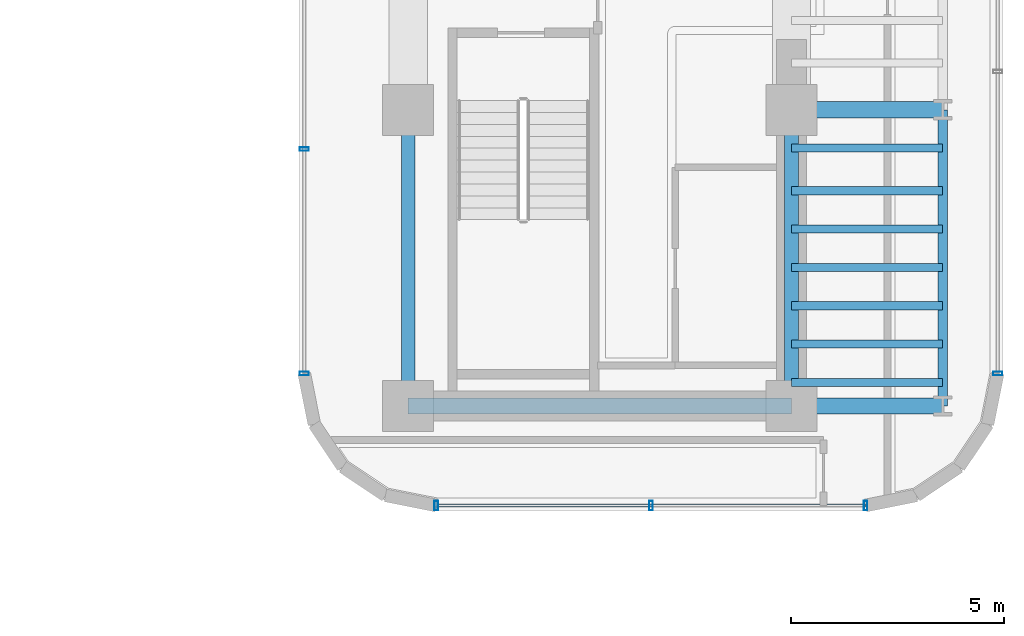
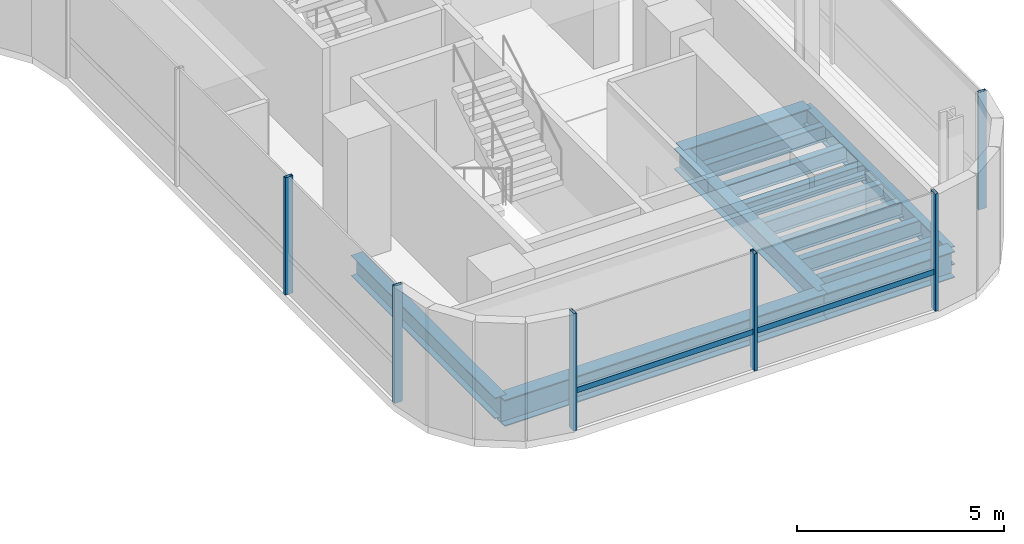
# One storey, part 12 of 34: 13 beams, 7 members, 3 elements without a shape of their own.
"""IFC4 building model written with IfcOpenShell, lengths in metres."""

from ifc_helpers import new_model, si_unit, direction, frame, origin, origin_2d, place, context, subcontext, project, spatial, hollow_rectangle, i_section, extrude, source, transform, mapped, material, material_profile, profile_set, type_object, element, aggregate, save


model = new_model("IFC4")

# Units and contexts
model_context = context("Model", 3, precision=1e-05, world=origin(), true_north=direction((0.0, 1.0)))
body_context = subcontext(model_context, "Body", "Model", "MODEL_VIEW")
ifc_project = project(units=[si_unit("LENGTHUNIT", "METRE"), si_unit("AREAUNIT", "SQUARE_METRE"), si_unit("VOLUMEUNIT", "CUBIC_METRE"), si_unit("PLANEANGLEUNIT", "RADIAN"), si_unit("MASSUNIT", "GRAM", prefix="KILO")], contexts=[model_context])

# Site, building, storey
site_placement = place(None, origin())
site = spatial("IfcSite", under=ifc_project, at=site_placement, CompositionType="ELEMENT")
building_placement = place(site_placement, origin())
building = spatial("IfcBuilding", under=site, at=building_placement, Name="Valdorenza Pilgrim Sanctuary Tower", CompositionType="ELEMENT")
storey_placement = place(building_placement, frame((0.0, 0.0, 120.5)))
storey = spatial("IfcBuildingStorey", under=building, at=storey_placement, Name="L30", CompositionType="ELEMENT", Elevation=120.5)

# Beams
ifc_material_1 = material(Name="Steel ASTM A992 Grade 50", Category="steel")
ifc_material_profile_1 = material_profile(ifc_material_1, i_section(OverallWidth=0.323974609375, OverallDepth=0.611083984375, WebThickness=0.0126953125, FlangeThickness=0.01904296875, at=origin_2d()), Name="W24X104")
ifc_profile_set_1 = profile_set([ifc_material_profile_1], Name="Steel ASTM A992 Grade 50")
beam_type_1 = type_object("IfcBeamType", Name="STR-BM-GRD-W24B", PredefinedType="BEAM", material=ifc_profile_set_1)
shared_shape_1 = source(origin(), body_context, "Body", "SweptSolid", [
    extrude(i_section(OverallWidth=0.323974609375, OverallDepth=0.611083984375, WebThickness=0.0126953125, FlangeThickness=0.01904296875, at=origin_2d()), origin(), (0.0, 0.0, 1.0), 6.949951171875),
])
for number, where, z_axis, x_axis, name in (
    (1, (15.85009765625, -9.550048828125, -0.54541015625), (0.0, 1.0, 0.0), (-1.0, 0.0, 0.0), "L30 Core Tie Girder CB-W-S1M0"),
    (2, (24.85009765625, -9.550048828125, -0.54541015625), (0.0, 1.0, 0.0), (-1.0, 0.0, 0.0), "L30 Core Tie Girder CB-E-S1M0"),
):
    element("IfcBeam", number, at=place(storey_placement, frame(where, z_axis=z_axis, x_axis=x_axis)), inside=storey, type_object=beam_type_1, Name=name, PredefinedType="BEAM", context=body_context, shape_type="MappedRepresentation", body=[
        mapped(shared_shape_1, transform((0.0, 0.0, 0.0), x_axis=(1.0, 0.0, 0.0), y_axis=(0.0, 1.0, 0.0), z_axis=(0.0, 0.0, 1.0), scale=1.0)),
    ])
ifc_material_profile_2 = material_profile(ifc_material_1, i_section(OverallWidth=0.214111328125, OverallDepth=0.549072265625, WebThickness=0.0146484375, FlangeThickness=0.023681640625, at=origin_2d()), Name="W21X93")
ifc_profile_set_2 = profile_set([ifc_material_profile_2], Name="Steel ASTM A992 Grade 50")
beam_type_2 = type_object("IfcBeamType", Name="STR-BM-SPN-W21A", PredefinedType="SPANDREL", material=ifc_profile_set_2)
shared_shape_2 = source(origin(), body_context, "Body", "SweptSolid", [
    extrude(i_section(OverallWidth=0.214111328125, OverallDepth=0.549072265625, WebThickness=0.0146484375, FlangeThickness=0.023681640625, at=origin_2d()), origin(), (0.0, 0.0, 1.0), 6.949951171875),
])
beam_1_placement = place(storey_placement, frame((28.39990234375, -9.550048828125, -0.514404296875), z_axis=(0.0, 1.0, 0.0), x_axis=(-1.0, 0.0, 0.0)))
element("IfcBeam", 3, at=beam_1_placement, inside=storey, type_object=beam_type_2, Name="L30 Spandrel Beam WB-E-S1M0", PredefinedType="SPANDREL", context=body_context, shape_type="MappedRepresentation", body=[
    mapped(shared_shape_2, transform((0.0, 0.0, 0.0), x_axis=(1.0, 0.0, 0.0), y_axis=(0.0, 1.0, 0.0), z_axis=(0.0, 0.0, 1.0), scale=1.0)),
])
ifc_material_profile_3 = material_profile(ifc_material_1, i_section(OverallWidth=0.382080078125, OverallDepth=0.779052734375, WebThickness=0.01806640625, FlangeThickness=0.030029296875, at=origin_2d()), Name="W30X191")
ifc_profile_set_3 = profile_set([ifc_material_profile_3], Name="Steel ASTM A992 Grade 50")
beam_type_3 = type_object("IfcBeamType", Name="STR-BM-GRD-W30", PredefinedType="BEAM", material=ifc_profile_set_3)
shared_shape_3 = source(origin(), body_context, "Body", "SweptSolid", [
    extrude(i_section(OverallWidth=0.382080078125, OverallDepth=0.779052734375, WebThickness=0.01806640625, FlangeThickness=0.030029296875, at=origin_2d()), origin(), (0.0, 0.0, 1.0), 9.0),
])
beam_2_placement = place(storey_placement, frame((15.85009765625, -9.550048828125, -0.62939453125), z_axis=(1.0, 0.0, 0.0), x_axis=(0.0, 1.0, 0.0)))
element("IfcBeam", 4, at=beam_2_placement, inside=storey, type_object=beam_type_3, Name="L30 Floor Girder CB-XC-S1", PredefinedType="BEAM", context=body_context, shape_type="MappedRepresentation", body=[
    mapped(shared_shape_3, transform((0.0, 0.0, 0.0), x_axis=(1.0, 0.0, 0.0), y_axis=(0.0, 1.0, 0.0), z_axis=(0.0, 0.0, 1.0), scale=1.0)),
])
shared_shape_4 = source(origin(), body_context, "Body", "SweptSolid", [
    extrude(i_section(OverallWidth=0.382080078125, OverallDepth=0.779052734375, WebThickness=0.01806640625, FlangeThickness=0.030029296875, at=origin_2d()), origin(), (0.0, 0.0, 1.0), 3.5498046875),
])
for number, where, z_axis, x_axis, name in (
    (5, (24.85009765625, -9.550048828125, -0.62939453125), (1.0, 0.0, 0.0), (0.0, 1.0, 0.0), "L30 Floor Girder WB-XE-S1"),
    (6, (24.85009765625, -2.60009765625, -0.62939453125), (1.0, 0.0, 0.0), (0.0, 1.0, 0.0), "L30 Floor Girder WB-XE-M0"),
):
    element("IfcBeam", number, at=place(storey_placement, frame(where, z_axis=z_axis, x_axis=x_axis)), inside=storey, type_object=beam_type_3, Name=name, PredefinedType="BEAM", context=body_context, shape_type="MappedRepresentation", body=[
        mapped(shared_shape_4, transform((0.0, 0.0, 0.0), x_axis=(1.0, 0.0, 0.0), y_axis=(0.0, 1.0, 0.0), z_axis=(0.0, 0.0, 1.0), scale=1.0)),
    ])
ifc_material_profile_4 = material_profile(ifc_material_1, i_section(OverallWidth=0.19091796875, OverallDepth=0.45703125, WebThickness=0.009033203125, FlangeThickness=0.014404296875, at=origin_2d()), Name="W18X50")
ifc_profile_set_4 = profile_set([ifc_material_profile_4], Name="Steel ASTM A992 Grade 50")
beam_type_4 = type_object("IfcBeamType", Name="STR-BM-JST-W18B", PredefinedType="JOIST", material=ifc_profile_set_4)
shared_shape_5 = source(origin(), body_context, "Body", "SweptSolid", [
    extrude(i_section(OverallWidth=0.19091796875, OverallDepth=0.45703125, WebThickness=0.009033203125, FlangeThickness=0.014404296875, at=origin_2d()), origin(), (0.0, 0.0, 1.0), 3.5498046875),
])
for number, where, z_axis, x_axis, name in (
    (7, (24.85009765625, -9.0, -0.468505859375), (1.0, 0.0, 0.0), (0.0, 1.0, 0.0), "L30 Composite Floor Joist JST-WB-1"),
    (8, (24.85009765625, -8.10009765625, -0.468505859375), (1.0, 0.0, 0.0), (0.0, 1.0, 0.0), "L30 Composite Floor Joist JST-WB-2"),
    (9, (24.85009765625, -7.199951171875, -0.468505859375), (1.0, 0.0, 0.0), (0.0, 1.0, 0.0), "L30 Composite Floor Joist JST-WB-3"),
    (10, (24.85009765625, -6.300048828125, -0.468505859375), (1.0, 0.0, 0.0), (0.0, 1.0, 0.0), "L30 Composite Floor Joist JST-WB-4"),
    (11, (24.85009765625, -5.39990234375, -0.468505859375), (1.0, 0.0, 0.0), (0.0, 1.0, 0.0), "L30 Composite Floor Joist JST-WB-5"),
    (12, (24.85009765625, -4.5, -0.468505859375), (1.0, 0.0, 0.0), (0.0, 1.0, 0.0), "L30 Composite Floor Joist JST-WB-6"),
    (13, (24.85009765625, -3.5, -0.468505859375), (1.0, 0.0, 0.0), (0.0, 1.0, 0.0), "L30 Composite Floor Joist JST-WB-7"),
):
    element("IfcBeam", number, at=place(storey_placement, frame(where, z_axis=z_axis, x_axis=x_axis)), inside=storey, type_object=beam_type_4, Name=name, PredefinedType="JOIST", context=body_context, shape_type="MappedRepresentation", body=[
        mapped(shared_shape_5, transform((0.0, 0.0, 0.0), x_axis=(1.0, 0.0, 0.0), y_axis=(0.0, 1.0, 0.0), z_axis=(0.0, 0.0, 1.0), scale=1.0)),
    ])

# Curtain wall, member
ifc_material_2 = material(Name="Curtain-wall IGU glazing", Category="glass")
curtain_wall_type = type_object("IfcCurtainWallType", Name="CW-SYS-03", PredefinedType="NOTDEFINED", material=ifc_material_2)
curtain_wall_1_placement = place(storey_placement, origin())
curtain_wall_1 = element("IfcCurtainWall", 14, at=curtain_wall_1_placement, inside=storey, type_object=curtain_wall_type, Name="L30 Curtain Wall CW-L30-1-21", PredefinedType="NOTDEFINED")
ifc_material_3 = material(Name="Anodised aluminium AW-6060", Category="aluminium")
ifc_material_profile_5 = material_profile(ifc_material_3, hollow_rectangle(XDim=0.0849609375, YDim=0.219970703125, WallThickness=0.0048828125, at=origin_2d()), Name="ALU-M 220x85x5")
ifc_profile_set_5 = profile_set([ifc_material_profile_5], Name="Anodised aluminium AW-6060")
member_type_1 = type_object("IfcMemberType", Name="CW-MUL-03", PredefinedType="MULLION", material=ifc_profile_set_5)
shared_shape_6 = source(origin(), body_context, "Body", "SweptSolid", [
    extrude(hollow_rectangle(XDim=0.0849609375, YDim=0.219970703125, WallThickness=0.0048828125, at=origin_2d()), origin(), (0.0, 0.0, 1.0), 3.4599609375),
])
member_1_placement = place(storey_placement, frame((29.68994140625, -8.789306640625, 0.0), z_axis=(0.0, 0.0, 1.0), x_axis=(0.0, -1.0, 0.0)))
member_1 = element("IfcMember", 15, at=member_1_placement, type_object=member_type_1, Name="CW-L30-1-21 Mullion 4", PredefinedType="MULLION", context=body_context, shape_type="MappedRepresentation", body=[
    mapped(shared_shape_6, transform((0.0, 0.0, 0.0), x_axis=(1.0, 0.0, 0.0), y_axis=(0.0, 1.0, 0.0), z_axis=(0.0, 0.0, 1.0), scale=1.0)),
])
aggregate(curtain_wall_1, [member_1])

# Curtain wall, members
curtain_wall_2_placement = place(storey_placement, origin())
curtain_wall_2 = element("IfcCurtainWall", 16, at=curtain_wall_2_placement, inside=storey, type_object=curtain_wall_type, Name="L30 Curtain Wall CW-L30-1-26", PredefinedType="NOTDEFINED")
member_2_placement = place(storey_placement, frame((26.589111328125, -11.889892578125, 0.0), z_axis=(0.0, 0.0, 1.0), x_axis=(-1.0, 0.0, 0.0)))
member_2 = element("IfcMember", 17, at=member_2_placement, type_object=member_type_1, Name="CW-L30-1-26 Mullion 1", PredefinedType="MULLION", context=body_context, shape_type="MappedRepresentation", body=[
    mapped(shared_shape_6, transform((0.0, 0.0, 0.0), x_axis=(1.0, 0.0, 0.0), y_axis=(0.0, 1.0, 0.0), z_axis=(0.0, 0.0, 1.0), scale=1.0)),
])
member_3_placement = place(storey_placement, frame((21.550048828125, -11.889892578125, 0.0), z_axis=(0.0, 0.0, 1.0), x_axis=(-1.0, 0.0, 0.0)))
member_3 = element("IfcMember", 18, at=member_3_placement, type_object=member_type_1, Name="CW-L30-1-26 Mullion 2", PredefinedType="MULLION", context=body_context, shape_type="MappedRepresentation", body=[
    mapped(shared_shape_6, transform((0.0, 0.0, 0.0), x_axis=(1.0, 0.0, 0.0), y_axis=(0.0, 1.0, 0.0), z_axis=(0.0, 0.0, 1.0), scale=1.0)),
])
member_4_placement = place(storey_placement, frame((16.5107421875, -11.889892578125, 0.0), z_axis=(0.0, 0.0, 1.0), x_axis=(-1.0, 0.0, 0.0)))
member_4 = element("IfcMember", 19, at=member_4_placement, type_object=member_type_1, Name="CW-L30-1-26 Mullion 3", PredefinedType="MULLION", context=body_context, shape_type="MappedRepresentation", body=[
    mapped(shared_shape_6, transform((0.0, 0.0, 0.0), x_axis=(1.0, 0.0, 0.0), y_axis=(0.0, 1.0, 0.0), z_axis=(0.0, 0.0, 1.0), scale=1.0)),
])

curtain_wall_3_placement = place(storey_placement, origin())
curtain_wall_3 = element("IfcCurtainWall", 20, at=curtain_wall_3_placement, inside=storey, type_object=curtain_wall_type, Name="L30 Curtain Wall CW-L30-1-31", PredefinedType="NOTDEFINED")
member_5_placement = place(storey_placement, frame((13.409912109375, -8.789306640625, 0.0), z_axis=(0.0, 0.0, 1.0), x_axis=(0.0, 1.0, 0.0)))
member_5 = element("IfcMember", 21, at=member_5_placement, type_object=member_type_1, Name="CW-L30-1-31 Mullion 1", PredefinedType="MULLION", context=body_context, shape_type="MappedRepresentation", body=[
    mapped(shared_shape_6, transform((0.0, 0.0, 0.0), x_axis=(1.0, 0.0, 0.0), y_axis=(0.0, 1.0, 0.0), z_axis=(0.0, 0.0, 1.0), scale=1.0)),
])
member_6_placement = place(storey_placement, frame((13.409912109375, -3.5224609375, 0.0), z_axis=(0.0, 0.0, 1.0), x_axis=(0.0, 1.0, 0.0)))
member_6 = element("IfcMember", 22, at=member_6_placement, type_object=member_type_1, Name="CW-L30-1-31 Mullion 2", PredefinedType="MULLION", context=body_context, shape_type="MappedRepresentation", body=[
    mapped(shared_shape_6, transform((0.0, 0.0, 0.0), x_axis=(1.0, 0.0, 0.0), y_axis=(0.0, 1.0, 0.0), z_axis=(0.0, 0.0, 1.0), scale=1.0)),
])
aggregate(curtain_wall_3, [member_5, member_6])

# Member
ifc_material_profile_6 = material_profile(ifc_material_3, hollow_rectangle(XDim=0.074951171875, YDim=0.159912109375, WallThickness=0.00390625, at=origin_2d()), Name="ALU-T 160x75x4")
ifc_profile_set_6 = profile_set([ifc_material_profile_6], Name="Anodised aluminium AW-6060")
member_type_2 = type_object("IfcMemberType", Name="CW-TRN-03", PredefinedType="USERDEFINED", material=ifc_profile_set_6)
shared_shape_7 = source(origin(), body_context, "Body", "SweptSolid", [
    extrude(hollow_rectangle(XDim=0.074951171875, YDim=0.159912109375, WallThickness=0.00390625, at=origin_2d()), origin(), (0.0, 0.0, 1.0), 10.078369140625),
])
member_7_placement = place(storey_placement, frame((26.589111328125, -11.889892578125, 1.1201171875), z_axis=(-1.0, 0.0, 0.0), x_axis=(0.0, -1.0, 0.0)))
member_7 = element("IfcMember", 23, at=member_7_placement, type_object=member_type_2, Name="CW-L30-1-26 Transom 1", ObjectType="TRANSOM", PredefinedType="USERDEFINED", context=body_context, shape_type="MappedRepresentation", body=[
    mapped(shared_shape_7, transform((0.0, 0.0, 0.0), x_axis=(1.0, 0.0, 0.0), y_axis=(0.0, 1.0, 0.0), z_axis=(0.0, 0.0, 1.0), scale=1.0)),
])

aggregate(curtain_wall_2, [member_2, member_3, member_4, member_7])

save(model, "model.ifc")
